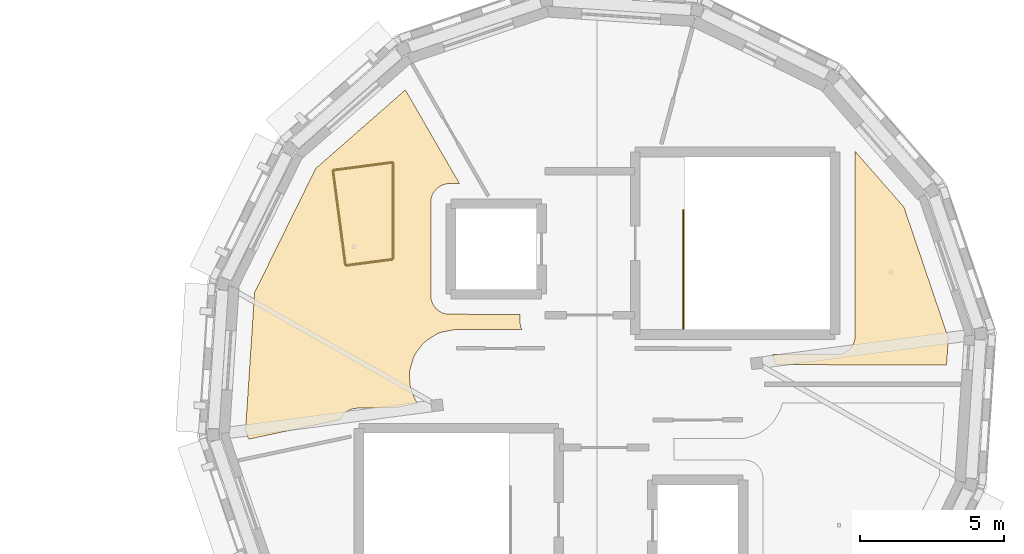
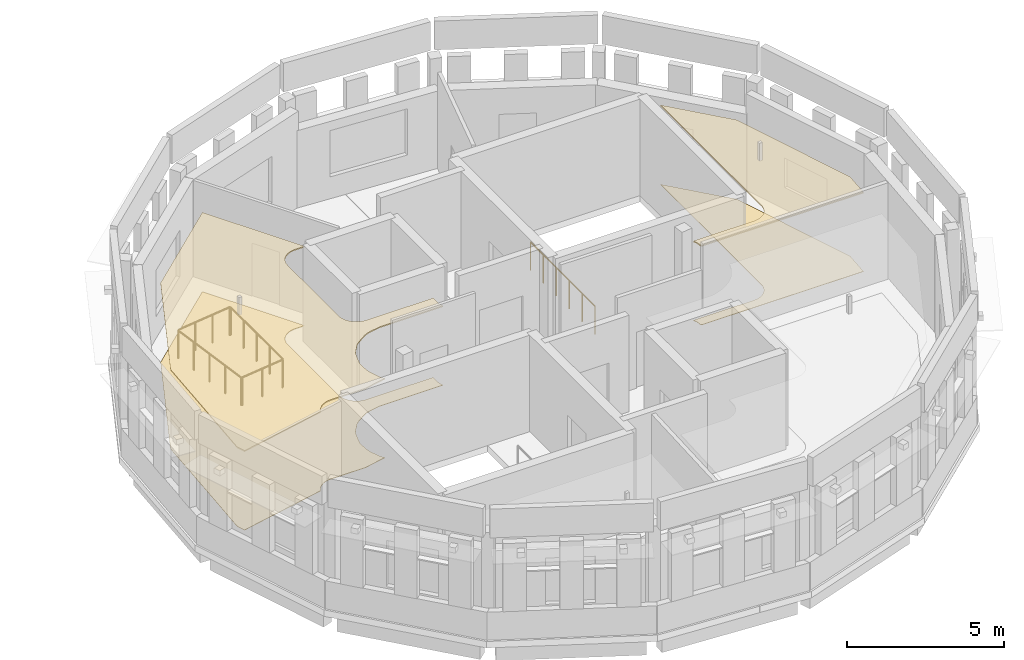
# One storey, part 18 of 18: 5 railings, 4 coverings.
"""IFC4 building model written with IfcOpenShell, lengths in metres."""

import ifcopenshell
import ifcopenshell.guid

model = None  # the IFC model being written
_history = None  # IfcOwnerHistory: only IFC2X3 demands one
_inside = {}  # id of a spatial element -> (the spatial element, [elements in it])
_under = {}  # id of a project, library or spatial element -> (it, [spatial elements below it])
_declared = {}  # id of a project -> (the project, [libraries it declares])
_typed = {}  # id of a type object -> (the type object, [elements of that type])
_made_of = {}  # id of a material, layer set ... -> (it, [elements and type objects made of it])


def new_model(schema):
    """Start an empty IFC model of exactly this schema.

    Asked for "IFC4X3", IfcOpenShell would pick the latest addendum, in which some entities
    have other attributes; the version numbers below select the first issue.
    IFC2X3 requires an IfcOwnerHistory on every rooted entity: one is made here for all.
    """
    global model, _history
    if schema == "IFC4X3":
        model = ifcopenshell.file(schema_version=(4, 3, 0, 0))
    else:
        model = ifcopenshell.file(schema=schema)
    _inside.clear()
    _under.clear()
    _declared.clear()
    _typed.clear()
    _made_of.clear()
    _history = None
    if model.schema == "IFC2X3":
        org = make("IfcOrganization", Name="unknown")
        user = make(
            "IfcPersonAndOrganization",
            ThePerson=make("IfcPerson", FamilyName="unknown"),
            TheOrganization=org,
        )
        app = make(
            "IfcApplication",
            ApplicationDeveloper=org,
            Version="unknown",
            ApplicationFullName="unknown",
            ApplicationIdentifier="unknown",
        )
        _history = make(
            "IfcOwnerHistory",
            OwningUser=user,
            OwningApplication=app,
            ChangeAction="ADDED",
            CreationDate=0,
        )
    return model


def make(cls, **values):
    """One entity of the class cls with the attributes given. An attribute that is None is left unset."""
    return model.create_entity(
        cls, **{name: value for name, value in values.items() if value is not None}
    )


def rooted(cls, **values):
    """An entity with a GlobalId (a new one), such as an element, a storey or a relation."""
    return make(cls, GlobalId=ifcopenshell.guid.new(), OwnerHistory=_history, **values)


def si_unit(unit_type, name, prefix=None):
    """IfcSIUnit, for example si_unit("LENGTHUNIT", "METRE", prefix="MILLI")."""
    return make("IfcSIUnit", UnitType=unit_type, Prefix=prefix, Name=name)


def assignment(units):
    """IfcUnitAssignment: the units of a project."""
    return None if units is None else make("IfcUnitAssignment", Units=units)


def point(xyz):
    """IfcCartesianPoint."""
    return None if xyz is None else make("IfcCartesianPoint", Coordinates=xyz)


def direction(xyz):
    """IfcDirection."""
    return None if xyz is None else make("IfcDirection", DirectionRatios=xyz)


def frame(location, z_axis=None, x_axis=None):
    """IfcAxis2Placement3D, a coordinate frame: its origin and axes. An axis left out is left unset."""
    return make(
        "IfcAxis2Placement3D",
        Location=point(location),
        Axis=direction(z_axis),
        RefDirection=direction(x_axis),
    )


def frame_2d(location, x_axis=None):
    """IfcAxis2Placement2D, a coordinate frame in the plane: its origin and x axis."""
    return make(
        "IfcAxis2Placement2D", Location=point(location), RefDirection=direction(x_axis)
    )


def origin():
    """The frame at (0, 0, 0) with its axes left unset."""
    return frame((0.0, 0.0, 0.0))


def origin_2d():
    """The frame at (0, 0) in the plane with its x axis left unset."""
    return frame_2d((0.0, 0.0))


def place(relative_to, where):
    """IfcLocalPlacement: puts the frame where relative to a parent placement (None: the world)."""
    return make(
        "IfcLocalPlacement", PlacementRelTo=relative_to, RelativePlacement=where
    )


def context(
    kind, dimensions, precision=None, world=None, true_north=None, identifier=None
):
    """IfcGeometricRepresentationContext, for example the 3D "Model" context."""
    return make(
        "IfcGeometricRepresentationContext",
        ContextIdentifier=identifier,
        ContextType=kind,
        CoordinateSpaceDimension=dimensions,
        Precision=precision,
        WorldCoordinateSystem=world,
        TrueNorth=true_north,
    )


def subcontext(parent, identifier, kind, view, scale=None):
    """IfcGeometricRepresentationSubContext, for example "Body" below "Model"."""
    return make(
        "IfcGeometricRepresentationSubContext",
        ContextIdentifier=identifier,
        ContextType=kind,
        ParentContext=parent,
        TargetScale=scale,
        TargetView=view,
    )


def project(units=None, contexts=None):
    """IfcProject with its units and contexts."""
    return rooted(
        "IfcProject",
        Name="project",
        RepresentationContexts=contexts,
        UnitsInContext=assignment(units),
    )


def spatial(cls, under=None, at=None, **own):
    """A site, building, storey or space (cls), placed at a placement, below another one or the project."""
    s = rooted(cls, ObjectPlacement=at, **own)
    if under is not None:
        _under.setdefault(under.id(), (under, []))[1].append(s)
    return s


def polyline(points):
    """IfcPolyline through the points."""
    return make("IfcPolyline", Points=[point(p) for p in points])


def profile(cls, at=None, kind="AREA", **sizes):
    """A parametric profile (cls). Its sizes go by their IFC names, for example OverallWidth=200.0."""
    return make(cls, ProfileType=kind, Position=at, **sizes)


def circle(**sizes):
    """IfcCircleProfileDef."""
    return profile("IfcCircleProfileDef", **sizes)


def outline(outer, holes=None, kind="AREA"):
    """IfcArbitraryClosedProfileDef: a profile drawn as a closed curve; with holes, ...WithVoids."""
    if holes is None:
        return make("IfcArbitraryClosedProfileDef", ProfileType=kind, OuterCurve=outer)
    return make(
        "IfcArbitraryProfileDefWithVoids",
        ProfileType=kind,
        OuterCurve=outer,
        InnerCurves=holes,
    )


def extrude(swept, where, along, depth):
    """IfcExtrudedAreaSolid: the profile swept, set in the frame where, extruded along a direction by depth."""
    return make(
        "IfcExtrudedAreaSolid",
        SweptArea=swept,
        Position=where,
        ExtrudedDirection=direction(along),
        Depth=depth,
    )


def shape(context_of_items, identifier, shape_type, items):
    """IfcShapeRepresentation: the items that make up one representation, for example the "Body"."""
    return make(
        "IfcShapeRepresentation",
        ContextOfItems=context_of_items,
        RepresentationIdentifier=identifier,
        RepresentationType=shape_type,
        Items=items,
    )


def material(Name=None, Category=None):
    """IfcMaterial."""
    return make("IfcMaterial", Name=Name, Category=Category)


def layer(
    of_material, thickness, ventilated=None, Name=None, Category=None, Priority=None
):
    """IfcMaterialLayer: one layer of a wall or slab, of a material (None: an air gap)."""
    return make(
        "IfcMaterialLayer",
        Material=of_material,
        LayerThickness=thickness,
        IsVentilated=ventilated,
        Name=Name,
        Category=Category,
        Priority=Priority,
    )


def layer_set(layers, Name=None):
    """IfcMaterialLayerSet."""
    return make("IfcMaterialLayerSet", MaterialLayers=layers, LayerSetName=Name)


def made_of(thing, what):
    """Note that an element or type object is made of a material, layer set ...; save() writes the relation."""
    if what is not None:
        _made_of.setdefault(what.id(), (what, []))[1].append(thing)
    return thing


def type_object(cls, material=None, **own):
    """A type object (cls), such as IfcWallType, which elements share."""
    return made_of(rooted(cls, **own), material)


def element(
    cls,
    number,
    at=None,
    inside=None,
    cuts=None,
    type_object=None,
    material=None,
    context=None,
    identifier="Body",
    shape_type=None,
    held_by="IfcProductDefinitionShape",
    body=None,
    shapes=None,
    **own,
):
    """One element of the class cls, such as IfcWall. Its Tag is "e" and its number.

    at: its placement. inside: the storey or other place that contains it. cuts: it is an
    opening in that element (IfcRelVoidsElement). A single representation is given by context,
    identifier, shape_type and body (its items); several are given by shapes. held_by: the class
    of the entity that holds the representations. save() writes the other relations.
    """
    e = rooted(cls, Tag="e%d" % number, ObjectPlacement=at, **own)
    if body is not None:
        shapes = [shape(context, identifier, shape_type, body)]
    if shapes is not None:
        e.Representation = make(held_by, Representations=shapes)
    if inside is not None:
        _inside.setdefault(inside.id(), (inside, []))[1].append(e)
    if cuts is not None:
        rooted(
            "IfcRelVoidsElement", RelatingBuildingElement=cuts, RelatedOpeningElement=e
        )
    if type_object is not None:
        _typed.setdefault(type_object.id(), (type_object, []))[1].append(e)
    return made_of(e, material)


def aggregate(whole, parts):
    """IfcRelAggregates: a whole, such as a stair, and the parts it consists of."""
    return rooted("IfcRelAggregates", RelatingObject=whole, RelatedObjects=parts)


def save(model, path):
    """Write the relations noted so far, then the file.

    IfcRelAggregates (storeys below a building ...), IfcRelContainedInSpatialStructure (elements
    in a storey), IfcRelDefinesByType, IfcRelAssociatesMaterial and IfcRelDeclares: one each for
    every whole, place, type object, material and project.
    """
    for whole, parts in _under.values():
        aggregate(whole, parts)
    for where, things in _inside.values():
        rooted(
            "IfcRelContainedInSpatialStructure",
            RelatedElements=things,
            RelatingStructure=where,
        )
    for kind, things in _typed.values():
        rooted("IfcRelDefinesByType", RelatedObjects=things, RelatingType=kind)
    for what, things in _made_of.values():
        rooted("IfcRelAssociatesMaterial", RelatedObjects=things, RelatingMaterial=what)
    for by, libraries in _declared.values():
        rooted("IfcRelDeclares", RelatingContext=by, RelatedDefinitions=libraries)
    model.write(path)


model = new_model("IFC4")

# Units and contexts
model_context = context("Model", 3, precision=1e-05, world=origin(), true_north=direction((0.0, 1.0)))
body_context = subcontext(model_context, "Body", "Model", "MODEL_VIEW")
ifc_project = project(units=[si_unit("LENGTHUNIT", "METRE"), si_unit("AREAUNIT", "SQUARE_METRE"), si_unit("VOLUMEUNIT", "CUBIC_METRE"), si_unit("PLANEANGLEUNIT", "RADIAN"), si_unit("MASSUNIT", "GRAM", prefix="KILO")], contexts=[model_context])

# Site, building, storey
site_placement = place(None, origin())
site = spatial("IfcSite", under=ifc_project, at=site_placement, CompositionType="ELEMENT")
building_placement = place(site_placement, origin())
building = spatial("IfcBuilding", under=site, at=building_placement, Name="Wrenclough Park School", CompositionType="ELEMENT")
storey_placement = place(building_placement, frame((0.0, 0.0, 20.800048828125)))
storey = spatial("IfcBuildingStorey", under=building, at=storey_placement, Name="L05", CompositionType="ELEMENT", Elevation=20.800048828125)

# Coverings
ifc_material_1 = material(Name="Class A mineral-fibre acoustic ceiling raft", Category="gypsum")
ifc_layer_1 = layer(ifc_material_1, 0.044921875)
ifc_layer_set_1 = layer_set([ifc_layer_1], Name="Class A mineral-fibre acoustic ceiling raft")
covering_type_1 = type_object("IfcCoveringType", Name="INT-COV-CEIL", PredefinedType="CEILING", material=ifc_layer_set_1)
covering_1_placement = place(storey_placement, frame((0.0, 0.0, 3.054931640625)))
element("IfcCovering", 1, at=covering_1_placement, inside=storey, type_object=covering_type_1, Name="Sixth Form Seminar Classroom 1 acoustic ceiling raft", PredefinedType="CEILING", context=body_context, shape_type="SweptSolid", body=[
    extrude(outline(polyline([(162.394287109375, 91.59130859375), (165.579345703125, 92.268310546875), (165.639404296875, 92.381103515625), (165.677490234375, 92.432373046875), (165.767578125, 92.5224609375), (165.87353515625, 92.59326171875), (165.9912109375, 92.64208984375), (166.05322265625, 92.657470703125), (166.179931640625, 92.669921875), (167.46875, 92.669921875), (168.274658203125, 92.84130859375), (168.19677734375, 92.951416015625), (168.167236328125, 93.006103515625), (168.0244140625, 93.397216796875), (168.004638671875, 93.52294921875), (167.98828125, 93.81298828125), (167.991455078125, 93.924560546875), (168.013916015625, 94.03369140625), (168.123291015625, 94.404296875), (168.164794921875, 94.51025390625), (168.224609375, 94.607421875), (168.442138671875, 94.896484375), (168.481689453125, 94.9375), (168.5712890625, 95.00830078125), (168.893798828125, 95.220458984375), (169.005615234375, 95.279052734375), (169.126220703125, 95.315185546875), (169.560302734375, 95.39697265625), (171.894287109375, 95.39990234375), (171.85791015625, 95.4912109375), (171.8330078125, 95.6162109375), (171.830078125, 95.929931640625), (169.31640625, 95.93310546875), (169.19140625, 95.9580078125), (169.13134765625, 95.9794921875), (169.018798828125, 96.03955078125), (168.92041015625, 96.120361328125), (168.87744140625, 96.16748046875), (168.806884765625, 96.273681640625), (168.779541015625, 96.331298828125), (168.742431640625, 96.453125), (168.72998046875, 96.580078125), (168.72998046875, 99.820068359375), (168.742431640625, 99.94677734375), (168.779541015625, 100.068603515625), (168.806884765625, 100.12646484375), (168.87744140625, 100.232421875), (168.967529296875, 100.322509765625), (169.073486328125, 100.393310546875), (169.19140625, 100.44189453125), (169.31640625, 100.466796875), (169.725341796875, 100.469970703125), (167.84521484375, 103.726806640625), (164.731201171875, 100.99609375), (162.606201171875, 96.68701171875), (162.2919921875, 91.892822265625), (162.394287109375, 91.59130859375)])), origin(), (0.0, 0.0, 1.0), 0.044921875),
])
covering_2_placement = place(storey_placement, frame((0.0, 0.0, 3.054931640625)))
element("IfcCovering", 2, at=covering_2_placement, inside=storey, type_object=covering_type_1, Name="Sixth Form Leadership Staff Office acoustic ceiling raft", PredefinedType="CEILING", context=body_context, shape_type="SweptSolid", body=[
    extrude(outline(polyline([(182.820068359375, 94.530029296875), (180.5947265625, 94.530029296875), (180.645263671875, 94.410888671875), (180.6689453125, 94.291748046875), (180.671875, 94.2294921875), (180.70947265625, 94.180908203125), (186.646484375, 94.1708984375), (186.7080078125, 95.107177734375), (185.163818359375, 99.656494140625), (183.469970703125, 101.587890625), (183.466796875, 95.1162109375), (183.44189453125, 94.9912109375), (183.393310546875, 94.87353515625), (183.322509765625, 94.767578125), (183.232421875, 94.677490234375), (183.12646484375, 94.606689453125), (183.0087890625, 94.55810546875), (182.94677734375, 94.54248046875), (182.820068359375, 94.530029296875)])), origin(), (0.0, 0.0, 1.0), 0.044921875),
])
ifc_material_2 = material(Name="Acoustic natural linoleum school flooring", Category="wood")
ifc_layer_2 = layer(ifc_material_2, 0.014892578125)
ifc_layer_set_2 = layer_set([ifc_layer_2], Name="Acoustic natural linoleum school flooring")
covering_type_2 = type_object("IfcCoveringType", Name="INT-COV-FLOOR1", PredefinedType="FLOORING", material=ifc_layer_set_2)
covering_3_placement = place(storey_placement, origin())
element("IfcCovering", 3, at=covering_3_placement, inside=storey, type_object=covering_type_2, Name="Sixth Form Seminar Classroom 1 floor finish", PredefinedType="FLOORING", context=body_context, shape_type="SweptSolid", body=[
    extrude(outline(polyline([(162.394287109375, 91.59130859375), (165.579345703125, 92.268310546875), (165.639404296875, 92.381103515625), (165.677490234375, 92.432373046875), (165.767578125, 92.5224609375), (165.87353515625, 92.59326171875), (165.9912109375, 92.64208984375), (166.05322265625, 92.657470703125), (166.179931640625, 92.669921875), (167.46875, 92.669921875), (168.274658203125, 92.84130859375), (168.19677734375, 92.951416015625), (168.167236328125, 93.006103515625), (168.0244140625, 93.397216796875), (168.004638671875, 93.52294921875), (167.98828125, 93.81298828125), (167.991455078125, 93.924560546875), (168.013916015625, 94.03369140625), (168.123291015625, 94.404296875), (168.164794921875, 94.51025390625), (168.224609375, 94.607421875), (168.442138671875, 94.896484375), (168.481689453125, 94.9375), (168.5712890625, 95.00830078125), (168.893798828125, 95.220458984375), (169.005615234375, 95.279052734375), (169.126220703125, 95.315185546875), (169.560302734375, 95.39697265625), (171.894287109375, 95.39990234375), (171.85791015625, 95.4912109375), (171.8330078125, 95.6162109375), (171.830078125, 95.929931640625), (169.31640625, 95.93310546875), (169.19140625, 95.9580078125), (169.13134765625, 95.9794921875), (169.018798828125, 96.03955078125), (168.92041015625, 96.120361328125), (168.87744140625, 96.16748046875), (168.806884765625, 96.273681640625), (168.779541015625, 96.331298828125), (168.742431640625, 96.453125), (168.72998046875, 96.580078125), (168.72998046875, 99.820068359375), (168.742431640625, 99.94677734375), (168.779541015625, 100.068603515625), (168.806884765625, 100.12646484375), (168.87744140625, 100.232421875), (168.967529296875, 100.322509765625), (169.073486328125, 100.393310546875), (169.19140625, 100.44189453125), (169.31640625, 100.466796875), (169.725341796875, 100.469970703125), (167.84521484375, 103.726806640625), (164.731201171875, 100.99609375), (162.606201171875, 96.68701171875), (162.2919921875, 91.892822265625), (162.394287109375, 91.59130859375)])), origin(), (0.0, 0.0, 1.0), 0.014892578125),
])
covering_4_placement = place(storey_placement, origin())
element("IfcCovering", 4, at=covering_4_placement, inside=storey, type_object=covering_type_2, Name="Sixth Form Leadership Staff Office floor finish", PredefinedType="FLOORING", context=body_context, shape_type="SweptSolid", body=[
    extrude(outline(polyline([(182.820068359375, 94.530029296875), (180.5947265625, 94.530029296875), (180.645263671875, 94.410888671875), (180.6689453125, 94.291748046875), (180.671875, 94.2294921875), (180.70947265625, 94.180908203125), (186.646484375, 94.1708984375), (186.7080078125, 95.107177734375), (185.163818359375, 99.656494140625), (183.469970703125, 101.587890625), (183.466796875, 95.1162109375), (183.44189453125, 94.9912109375), (183.393310546875, 94.87353515625), (183.322509765625, 94.767578125), (183.232421875, 94.677490234375), (183.12646484375, 94.606689453125), (183.0087890625, 94.55810546875), (182.94677734375, 94.54248046875), (182.820068359375, 94.530029296875)])), origin(), (0.0, 0.0, 1.0), 0.014892578125),
])

# Railings
ifc_material_3 = material(Name="Powder-coated steel vertical-baluster stair and atrium guard", Category="steel")
railing_type = type_object("IfcRailingType", Name="INT-RL-GD1120", PredefinedType="GUARDRAIL", material=ifc_material_3)
railing_1_placement = place(storey_placement, frame((177.5048828125, 95.43994140625, 0.0)))
element("IfcRailing", 5, at=railing_1_placement, inside=storey, type_object=railing_type, Name="ST-06 L05 top landing guard", PredefinedType="GUARDRAIL", context=body_context, shape_type="SweptSolid", body=[
    extrude(circle(Radius=0.02392578125, at=origin_2d()), frame((0.0, 0.0, 1.09619140625), z_axis=(0.0, 1.0, 0.0), x_axis=(-1.0, 0.0, 0.0)), (0.0, 0.0, 1.0), 4.110107421875),
    extrude(circle(Radius=0.02099609375, at=origin_2d()), origin(), (0.0, 0.0, 1.0), 1.072021484375),
    extrude(circle(Radius=0.02099609375, at=origin_2d()), frame((0.0, 0.822021484375, 0.0)), (0.0, 0.0, 1.0), 1.072021484375),
    extrude(circle(Radius=0.02099609375, at=origin_2d()), frame((0.0, 1.64404296875, 0.0)), (0.0, 0.0, 1.0), 1.072021484375),
    extrude(circle(Radius=0.02099609375, at=origin_2d()), frame((0.0, 2.466064453125, 0.0)), (0.0, 0.0, 1.0), 1.072021484375),
    extrude(circle(Radius=0.02099609375, at=origin_2d()), frame((0.0, 3.2880859375, 0.0)), (0.0, 0.0, 1.0), 1.072021484375),
    extrude(circle(Radius=0.02099609375, at=origin_2d()), frame((0.0, 4.110107421875, 0.0)), (0.0, 0.0, 1.0), 1.072021484375),
])
railing_2_placement = place(storey_placement, frame((165.787109375, 97.62939453125, 0.0)))
element("IfcRailing", 6, at=railing_2_placement, inside=storey, type_object=railing_type, Name="D5 L05 void perimeter guard 1.1", PredefinedType="GUARDRAIL", context=body_context, shape_type="SweptSolid", body=[
    extrude(circle(Radius=0.02392578125, at=origin_2d()), frame((0.0, 0.0, 1.09619140625), z_axis=(0.99142917461, 0.130645289747, 0.0), x_axis=(-0.130645289747, 0.99142917461, 0.0)), (0.0, 0.0, 1.0), 1.6220703125),
    extrude(circle(Radius=0.02099609375, at=origin_2d()), origin(), (0.0, 0.0, 1.0), 1.072021484375),
    extrude(circle(Radius=0.02099609375, at=origin_2d()), frame((0.80419921875, 0.10595703125, 0.0)), (0.0, 0.0, 1.0), 1.072021484375),
    extrude(circle(Radius=0.02099609375, at=origin_2d()), frame((1.608154296875, 0.2119140625, 0.0)), (0.0, 0.0, 1.0), 1.072021484375),
])
railing_3_placement = place(storey_placement, frame((167.419921875, 97.869384765625, 0.0)))
element("IfcRailing", 7, at=railing_3_placement, inside=storey, type_object=railing_type, Name="D5 L05 void perimeter guard 1.2", PredefinedType="GUARDRAIL", context=body_context, shape_type="SweptSolid", body=[
    extrude(circle(Radius=0.02392578125, at=origin_2d()), frame((0.0, 0.0, 1.09619140625), z_axis=(0.0, 1.0, 0.0), x_axis=(-1.0, 0.0, 0.0)), (0.0, 0.0, 1.0), 3.319091796875),
    extrude(circle(Radius=0.02099609375, at=origin_2d()), origin(), (0.0, 0.0, 1.0), 1.072021484375),
    extrude(circle(Radius=0.02099609375, at=origin_2d()), frame((0.0, 0.829833984375, 0.0)), (0.0, 0.0, 1.0), 1.072021484375),
    extrude(circle(Radius=0.02099609375, at=origin_2d()), frame((0.0, 1.65966796875, 0.0)), (0.0, 0.0, 1.0), 1.072021484375),
    extrude(circle(Radius=0.02099609375, at=origin_2d()), frame((0.0, 2.4892578125, 0.0)), (0.0, 0.0, 1.0), 1.072021484375),
    extrude(circle(Radius=0.02099609375, at=origin_2d()), frame((0.0, 3.319091796875, 0.0)), (0.0, 0.0, 1.0), 1.072021484375),
])
railing_4_placement = place(storey_placement, frame((167.395263671875, 101.210205078125, 0.0)))
element("IfcRailing", 8, at=railing_4_placement, inside=storey, type_object=railing_type, Name="D5 L05 void perimeter guard 1.3", PredefinedType="GUARDRAIL", context=body_context, shape_type="SweptSolid", body=[
    extrude(circle(Radius=0.02392578125, at=origin_2d()), frame((0.0, 0.0, 1.09619140625), z_axis=(-0.991434535995, -0.130604597301, 0.0), x_axis=(0.130604597301, -0.991434535995, 0.0)), (0.0, 0.0, 1.0), 2.061767578125),
    extrude(circle(Radius=0.02099609375, at=origin_2d()), origin(), (0.0, 0.0, 1.0), 1.072021484375),
    extrude(circle(Radius=0.02099609375, at=origin_2d()), frame((-0.681396484375, -0.08984375, 0.0)), (0.0, 0.0, 1.0), 1.072021484375),
    extrude(circle(Radius=0.02099609375, at=origin_2d()), frame((-1.36279296875, -0.179443359375, 0.0)), (0.0, 0.0, 1.0), 1.072021484375),
    extrude(circle(Radius=0.02099609375, at=origin_2d()), frame((-2.044189453125, -0.269287109375, 0.0)), (0.0, 0.0, 1.0), 1.072021484375),
])
railing_5_placement = place(storey_placement, frame((165.32958984375, 100.9130859375, 0.0)))
element("IfcRailing", 9, at=railing_5_placement, inside=storey, type_object=railing_type, Name="D5 L05 void perimeter guard 1.4", PredefinedType="GUARDRAIL", context=body_context, shape_type="SweptSolid", body=[
    extrude(circle(Radius=0.02392578125, at=origin_2d()), frame((0.0, 0.0, 1.09619140625), z_axis=(0.130515932273, -0.991446212068, 0.0), x_axis=(0.991446212068, 0.130515932273, 0.0)), (0.0, 0.0, 1.0), 3.290283203125),
    extrude(circle(Radius=0.02099609375, at=origin_2d()), origin(), (0.0, 0.0, 1.0), 1.072021484375),
    extrude(circle(Radius=0.02099609375, at=origin_2d()), frame((0.107421875, -0.8154296875, 0.0)), (0.0, 0.0, 1.0), 1.072021484375),
    extrude(circle(Radius=0.02099609375, at=origin_2d()), frame((0.21484375, -1.631103515625, 0.0)), (0.0, 0.0, 1.0), 1.072021484375),
    extrude(circle(Radius=0.02099609375, at=origin_2d()), frame((0.322021484375, -2.44677734375, 0.0)), (0.0, 0.0, 1.0), 1.072021484375),
    extrude(circle(Radius=0.02099609375, at=origin_2d()), frame((0.429443359375, -3.26220703125, 0.0)), (0.0, 0.0, 1.0), 1.072021484375),
])

save(model, "model.ifc")
